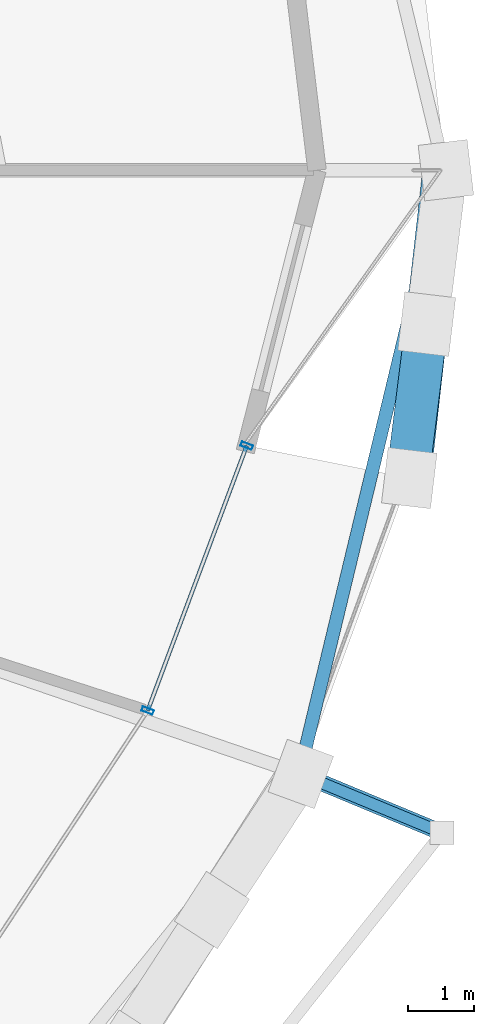
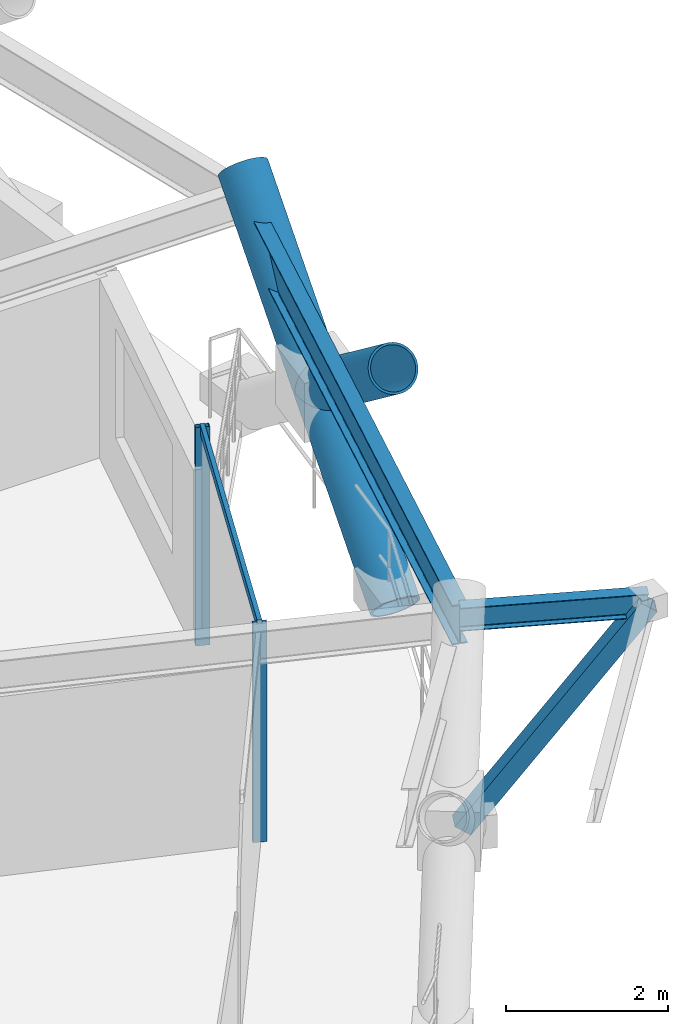
# One storey, part 10 of 20: 6 members, 2 beams, 1 element without a shape of its own.
"""IFC4 building model written with IfcOpenShell, lengths in metres."""

from ifc_helpers import new_model, si_unit, direction, frame, origin, origin_2d, place, context, subcontext, project, spatial, hollow_rectangle, hollow_circle, i_section, extrude, material, layer, layer_set, material_profile, profile_set, type_object, element, aggregate, save


model = new_model("IFC4")

# Units and contexts
model_context = context("Model", 3, precision=1e-05, world=origin(), true_north=direction((0.0, 1.0)))
body_context = subcontext(model_context, "Body", "Model", "MODEL_VIEW")
ifc_project = project(units=[si_unit("LENGTHUNIT", "METRE"), si_unit("AREAUNIT", "SQUARE_METRE"), si_unit("VOLUMEUNIT", "CUBIC_METRE"), si_unit("PLANEANGLEUNIT", "RADIAN"), si_unit("MASSUNIT", "GRAM", prefix="KILO")], contexts=[model_context])

# Site, building, storey
site_placement = place(None, origin())
site = spatial("IfcSite", under=ifc_project, at=site_placement, CompositionType="ELEMENT")
building_placement = place(site_placement, origin())
building = spatial("IfcBuilding", under=site, at=building_placement, Name="Veldorina Hangang Commons", CompositionType="ELEMENT")
storey_placement = place(building_placement, frame((0.0, 0.0, 84.39990234375)))
storey = spatial("IfcBuildingStorey", under=building, at=storey_placement, Name="L21", CompositionType="ELEMENT", Elevation=84.39990234375)

# Beams
ifc_material_1 = material(Name="Steel SM355-TMC", Category="steel")
ifc_material_profile_1 = material_profile(ifc_material_1, i_section(OverallWidth=0.175048828125, OverallDepth=0.35009765625, WebThickness=0.007080078125, FlangeThickness=0.010986328125, FilletRadius=0.012939453125, at=origin_2d()), Name="H-350x175x7x11")
ifc_profile_set_1 = profile_set([ifc_material_profile_1], Name="Steel SM355-TMC")
beam_type_1 = type_object("IfcBeamType", Name="BM-FG350", PredefinedType="BEAM", material=ifc_profile_set_1)
beam_1_placement = place(storey_placement, frame((58.747802734375, 14.82861328125, 3.1650390625), z_axis=(0.923864884479, -0.38271879393, 0.0), x_axis=(0.38271879393, 0.923864884479, 0.0)))
element("IfcBeam", 1, at=beam_1_placement, inside=storey, type_object=beam_type_1, Name="L22 tree balcony 2 bracket beam B", PredefinedType="BEAM", context=body_context, shape_type="SweptSolid", body=[
    extrude(i_section(OverallWidth=0.175048828125, OverallDepth=0.35009765625, WebThickness=0.007080078125, FlangeThickness=0.010986328125, FilletRadius=0.012939453125, at=origin_2d()), origin(), (0.0, 0.0, 1.0), 2.35009765625),
])
ifc_material_2 = material(Name="Steel SM420-TMC", Category="steel")
ifc_material_profile_2 = material_profile(ifc_material_2, i_section(OverallWidth=0.199951171875, OverallDepth=0.60009765625, WebThickness=0.010986328125, FlangeThickness=0.01708984375, FilletRadius=0.01806640625, at=origin_2d()), Name="H-600x200x11x17")
ifc_profile_set_2 = profile_set([ifc_material_profile_2], Name="Steel SM420-TMC")
beam_type_2 = type_object("IfcBeamType", Name="BM-RB600", PredefinedType="BEAM", material=ifc_profile_set_2)
beam_2_placement = place(storey_placement, frame((58.751708984375, 14.827392578125, 3.0400390625), z_axis=(0.233641136249, 0.97232289876, 0.0), x_axis=(-0.97232289876, 0.233641136249, 0.0)))
element("IfcBeam", 2, at=beam_2_placement, inside=storey, type_object=beam_type_2, Name="L21 perimeter hoop ring beam 30", PredefinedType="BEAM", context=body_context, shape_type="SweptSolid", body=[
    extrude(i_section(OverallWidth=0.199951171875, OverallDepth=0.60009765625, WebThickness=0.010986328125, FlangeThickness=0.01708984375, FilletRadius=0.01806640625, at=origin_2d()), origin(), (0.0, 0.0, 1.0), 9.43359375),
])

# Curtain wall, members
ifc_material_3 = material(Name="Glass Low-E Triple IGU", Category="glass")
ifc_layer = layer(ifc_material_3, 0.179931640625)
ifc_layer_set = layer_set([ifc_layer], Name="Glass Low-E Triple IGU")
curtain_wall_type = type_object("IfcCurtainWallType", Name="CW-SYS-Z1", PredefinedType="NOTDEFINED", material=ifc_layer_set)
curtain_wall_placement = place(storey_placement, origin())
curtain_wall = element("IfcCurtainWall", 3, at=curtain_wall_placement, inside=storey, type_object=curtain_wall_type, Name="L21 unitised curtain wall CW-L21-R2", PredefinedType="NOTDEFINED")
ifc_material_4 = material(Name="Aluminium Anodized AA6063-T6", Category="aluminium")
ifc_material_profile_3 = material_profile(ifc_material_4, hollow_rectangle(XDim=0.070068359375, YDim=0.179931640625, WallThickness=0.00390625, at=origin_2d()), Name="ALU-RHS-180x70x4")
ifc_profile_set_3 = profile_set([ifc_material_profile_3], Name="Aluminium Anodized AA6063-T6")
member_type_1 = type_object("IfcMemberType", Name="CW-MUL-180", PredefinedType="MULLION", material=ifc_profile_set_3)
member_1_placement = place(storey_placement, frame((56.44482421875, 15.78564453125, 0.0), z_axis=(0.0, 0.0, 1.0), x_axis=(0.350240077074, 0.936659964134, 0.0)))
member_1 = element("IfcMember", 4, at=member_1_placement, type_object=member_type_1, Name="CW-L21-R2 vertical mullion 3", PredefinedType="MULLION", context=body_context, shape_type="SweptSolid", body=[
    extrude(hollow_rectangle(XDim=0.070068359375, YDim=0.179931640625, WallThickness=0.00390625, at=origin_2d()), origin(), (0.0, 0.0, 1.0), 3.300048828125),
])
member_2_placement = place(storey_placement, frame((57.95068359375, 19.812255859375, 0.0), z_axis=(0.0, 0.0, 1.0), x_axis=(-0.350240077074, -0.936659964134, 0.0)))
member_2 = element("IfcMember", 5, at=member_2_placement, type_object=member_type_1, Name="CW-L21-R2 vertical mullion 4", PredefinedType="MULLION", context=body_context, shape_type="SweptSolid", body=[
    extrude(hollow_rectangle(XDim=0.070068359375, YDim=0.179931640625, WallThickness=0.00390625, at=origin_2d()), origin(), (0.0, 0.0, 1.0), 3.300048828125),
])
ifc_material_profile_4 = material_profile(ifc_material_4, hollow_rectangle(XDim=0.06005859375, YDim=0.139892578125, WallThickness=0.00341796875, at=origin_2d()), Name="ALU-RHS-140x60x3.5")
ifc_profile_set_4 = profile_set([ifc_material_profile_4], Name="Aluminium Anodized AA6063-T6")
member_type_2 = type_object("IfcMemberType", Name="CW-TRN-140", PredefinedType="USERDEFINED", material=ifc_profile_set_4)
member_3_placement = place(storey_placement, frame((56.44482421875, 15.78564453125, 3.260009765625), z_axis=(0.350283113666, 0.936643870572, 0.0), x_axis=(-0.936643870572, 0.350283113666, 0.0)))
member_3 = element("IfcMember", 6, at=member_3_placement, type_object=member_type_2, Name="CW-L21-R2 facet 5 transom 1", ObjectType="TRANSOM", PredefinedType="USERDEFINED", context=body_context, shape_type="SweptSolid", body=[
    extrude(hollow_rectangle(XDim=0.06005859375, YDim=0.139892578125, WallThickness=0.00341796875, at=origin_2d()), origin(), (0.0, 0.0, 1.0), 4.299072265625),
])
aggregate(curtain_wall, [member_1, member_2, member_3])

# Members
ifc_material_5 = material(Name="Steel SM460-TMC", Category="steel")
ifc_material_profile_5 = material_profile(ifc_material_5, hollow_circle(Radius=0.324951171875, WallThickness=0.031982421875, at=origin_2d()), Name="CHS-650x32")
ifc_profile_set_5 = profile_set([ifc_material_profile_5], Name="Steel SM460-TMC")
member_type_3 = type_object("IfcMemberType", Name="DG-CHS650", PredefinedType="BRACE", material=ifc_profile_set_5)
member_4_placement = place(storey_placement, frame((60.422119140625, 19.32080078125, 0.0), z_axis=(0.089335342739, 0.789396578577, 0.607348531133), x_axis=(-0.993657231812, 0.112451348002, 0.0)))
element("IfcMember", 7, at=member_4_placement, inside=storey, type_object=member_type_3, Name="L21 continuous perimeter diagrid brace 31", PredefinedType="BRACE", context=body_context, shape_type="SweptSolid", body=[
    extrude(hollow_circle(Radius=0.324951171875, WallThickness=0.031982421875, at=origin_2d()), origin(), (0.0, 0.0, 1.0), 5.927490234375),
])
member_5_placement = place(storey_placement, frame((60.68701171875, 21.661376953125, 1.80078125), z_axis=(-0.098357185221, -0.788505005805, 0.607112608941), x_axis=(0.992309741736, -0.12377954781, 0.0)))
element("IfcMember", 8, at=member_5_placement, inside=storey, type_object=member_type_3, Name="L21 split perimeter diagrid upper brace 00", PredefinedType="BRACE", context=body_context, shape_type="SweptSolid", body=[
    extrude(hollow_circle(Radius=0.324951171875, WallThickness=0.031982421875, at=origin_2d()), origin(), (0.0, 0.0, 1.0), 2.963623046875),
])
ifc_material_profile_6 = material_profile(ifc_material_1, hollow_rectangle(XDim=0.25, YDim=0.25, WallThickness=0.011962890625, at=origin_2d()), Name="SHS-250x250x12")
ifc_profile_set_6 = profile_set([ifc_material_profile_6], Name="Steel SM355-TMC")
member_type_4 = type_object("IfcMemberType", Name="STR-SHS250", PredefinedType="STRUT", material=ifc_profile_set_6)
member_6_placement = place(storey_placement, frame((58.773193359375, 14.8212890625, 0.0), z_axis=(0.546476966916, -0.227196135751, 0.806067516111), x_axis=(0.383891653368, 0.923378144897, 0.0)))
element("IfcMember", 9, at=member_6_placement, inside=storey, type_object=member_type_4, Name="L22 tree balcony 2 raking knee strut B", PredefinedType="STRUT", context=body_context, shape_type="SweptSolid", body=[
    extrude(hollow_rectangle(XDim=0.25, YDim=0.25, WallThickness=0.011962890625, at=origin_2d()), origin(), (0.0, 0.0, 1.0), 3.926513671875),
])

save(model, "model.ifc")
